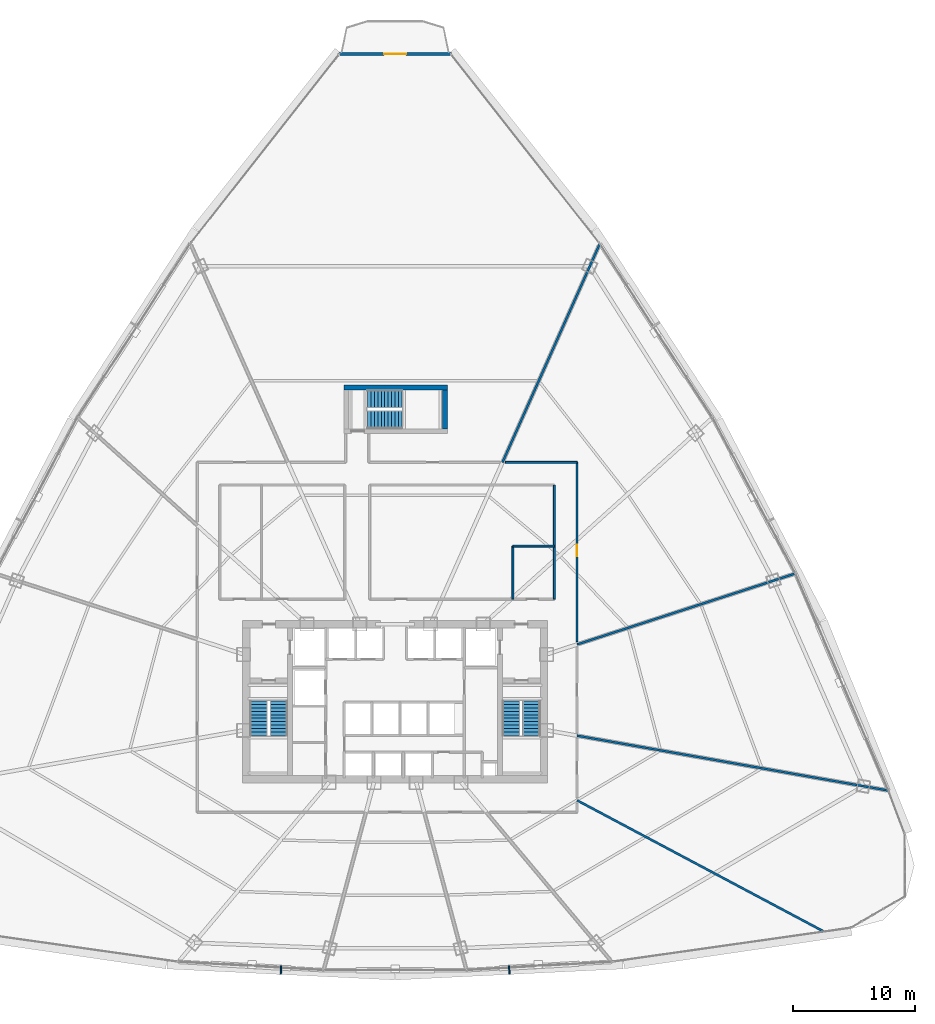
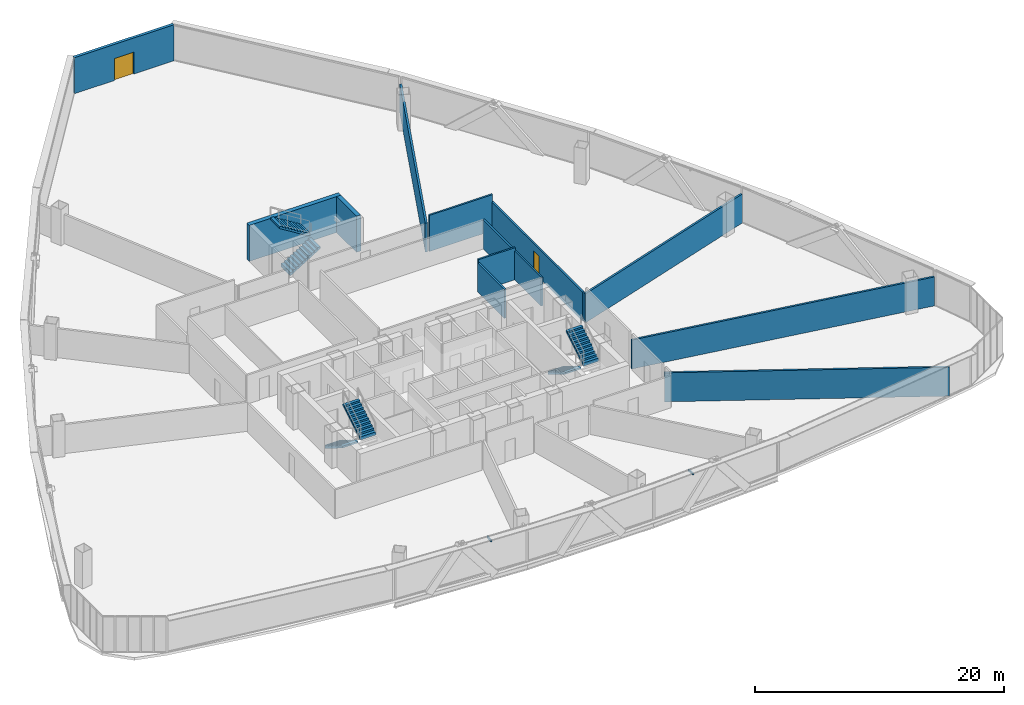
# One storey, part 34 of 39: 12 walls, 6 stair flights, 2 discrete accessories, 2 doors, 2 openings, 3 elements without a shape of their own.
"""IFC4 building model written with IfcOpenShell, lengths in metres."""

import ifcopenshell
import ifcopenshell.guid

model = None  # the IFC model being written
_history = None  # IfcOwnerHistory: only IFC2X3 demands one
_inside = {}  # id of a spatial element -> (the spatial element, [elements in it])
_under = {}  # id of a project, library or spatial element -> (it, [spatial elements below it])
_declared = {}  # id of a project -> (the project, [libraries it declares])
_typed = {}  # id of a type object -> (the type object, [elements of that type])
_made_of = {}  # id of a material, layer set ... -> (it, [elements and type objects made of it])


def new_model(schema):
    """Start an empty IFC model of exactly this schema.

    Asked for "IFC4X3", IfcOpenShell would pick the latest addendum, in which some entities
    have other attributes; the version numbers below select the first issue.
    IFC2X3 requires an IfcOwnerHistory on every rooted entity: one is made here for all.
    """
    global model, _history
    if schema == "IFC4X3":
        model = ifcopenshell.file(schema_version=(4, 3, 0, 0))
    else:
        model = ifcopenshell.file(schema=schema)
    _inside.clear()
    _under.clear()
    _declared.clear()
    _typed.clear()
    _made_of.clear()
    _history = None
    if model.schema == "IFC2X3":
        org = make("IfcOrganization", Name="unknown")
        user = make(
            "IfcPersonAndOrganization",
            ThePerson=make("IfcPerson", FamilyName="unknown"),
            TheOrganization=org,
        )
        app = make(
            "IfcApplication",
            ApplicationDeveloper=org,
            Version="unknown",
            ApplicationFullName="unknown",
            ApplicationIdentifier="unknown",
        )
        _history = make(
            "IfcOwnerHistory",
            OwningUser=user,
            OwningApplication=app,
            ChangeAction="ADDED",
            CreationDate=0,
        )
    return model


def make(cls, **values):
    """One entity of the class cls with the attributes given. An attribute that is None is left unset."""
    return model.create_entity(
        cls, **{name: value for name, value in values.items() if value is not None}
    )


def rooted(cls, **values):
    """An entity with a GlobalId (a new one), such as an element, a storey or a relation."""
    return make(cls, GlobalId=ifcopenshell.guid.new(), OwnerHistory=_history, **values)


def si_unit(unit_type, name, prefix=None):
    """IfcSIUnit, for example si_unit("LENGTHUNIT", "METRE", prefix="MILLI")."""
    return make("IfcSIUnit", UnitType=unit_type, Prefix=prefix, Name=name)


def assignment(units):
    """IfcUnitAssignment: the units of a project."""
    return None if units is None else make("IfcUnitAssignment", Units=units)


def point(xyz):
    """IfcCartesianPoint."""
    return None if xyz is None else make("IfcCartesianPoint", Coordinates=xyz)


def direction(xyz):
    """IfcDirection."""
    return None if xyz is None else make("IfcDirection", DirectionRatios=xyz)


def frame(location, z_axis=None, x_axis=None):
    """IfcAxis2Placement3D, a coordinate frame: its origin and axes. An axis left out is left unset."""
    return make(
        "IfcAxis2Placement3D",
        Location=point(location),
        Axis=direction(z_axis),
        RefDirection=direction(x_axis),
    )


def frame_2d(location, x_axis=None):
    """IfcAxis2Placement2D, a coordinate frame in the plane: its origin and x axis."""
    return make(
        "IfcAxis2Placement2D", Location=point(location), RefDirection=direction(x_axis)
    )


def origin():
    """The frame at (0, 0, 0) with its axes left unset."""
    return frame((0.0, 0.0, 0.0))


def origin_with_axes():
    """The frame at (0, 0, 0) with the z axis (0, 0, 1) and the x axis (1, 0, 0) written out."""
    return frame((0.0, 0.0, 0.0), z_axis=(0.0, 0.0, 1.0), x_axis=(1.0, 0.0, 0.0))


def origin_2d():
    """The frame at (0, 0) in the plane with its x axis left unset."""
    return frame_2d((0.0, 0.0))


def place(relative_to, where):
    """IfcLocalPlacement: puts the frame where relative to a parent placement (None: the world)."""
    return make(
        "IfcLocalPlacement", PlacementRelTo=relative_to, RelativePlacement=where
    )


def context(
    kind, dimensions, precision=None, world=None, true_north=None, identifier=None
):
    """IfcGeometricRepresentationContext, for example the 3D "Model" context."""
    return make(
        "IfcGeometricRepresentationContext",
        ContextIdentifier=identifier,
        ContextType=kind,
        CoordinateSpaceDimension=dimensions,
        Precision=precision,
        WorldCoordinateSystem=world,
        TrueNorth=true_north,
    )


def subcontext(parent, identifier, kind, view, scale=None):
    """IfcGeometricRepresentationSubContext, for example "Body" below "Model"."""
    return make(
        "IfcGeometricRepresentationSubContext",
        ContextIdentifier=identifier,
        ContextType=kind,
        ParentContext=parent,
        TargetScale=scale,
        TargetView=view,
    )


def project(units=None, contexts=None):
    """IfcProject with its units and contexts."""
    return rooted(
        "IfcProject",
        Name="project",
        RepresentationContexts=contexts,
        UnitsInContext=assignment(units),
    )


def spatial(cls, under=None, at=None, **own):
    """A site, building, storey or space (cls), placed at a placement, below another one or the project."""
    s = rooted(cls, ObjectPlacement=at, **own)
    if under is not None:
        _under.setdefault(under.id(), (under, []))[1].append(s)
    return s


def polyline(points):
    """IfcPolyline through the points."""
    return make("IfcPolyline", Points=[point(p) for p in points])


def profile(cls, at=None, kind="AREA", **sizes):
    """A parametric profile (cls). Its sizes go by their IFC names, for example OverallWidth=200.0."""
    return make(cls, ProfileType=kind, Position=at, **sizes)


def rectangle(**sizes):
    """IfcRectangleProfileDef."""
    return profile("IfcRectangleProfileDef", **sizes)


def outline(outer, holes=None, kind="AREA"):
    """IfcArbitraryClosedProfileDef: a profile drawn as a closed curve; with holes, ...WithVoids."""
    if holes is None:
        return make("IfcArbitraryClosedProfileDef", ProfileType=kind, OuterCurve=outer)
    return make(
        "IfcArbitraryProfileDefWithVoids",
        ProfileType=kind,
        OuterCurve=outer,
        InnerCurves=holes,
    )


def extrude(swept, where, along, depth):
    """IfcExtrudedAreaSolid: the profile swept, set in the frame where, extruded along a direction by depth."""
    return make(
        "IfcExtrudedAreaSolid",
        SweptArea=swept,
        Position=where,
        ExtrudedDirection=direction(along),
        Depth=depth,
    )


def shape(context_of_items, identifier, shape_type, items):
    """IfcShapeRepresentation: the items that make up one representation, for example the "Body"."""
    return make(
        "IfcShapeRepresentation",
        ContextOfItems=context_of_items,
        RepresentationIdentifier=identifier,
        RepresentationType=shape_type,
        Items=items,
    )


def source(mapping_origin, context_of_items, identifier, shape_type, items):
    """IfcRepresentationMap: a shape defined once, which mapped items show again and again."""
    return make(
        "IfcRepresentationMap",
        MappingOrigin=mapping_origin,
        MappedRepresentation=shape(context_of_items, identifier, shape_type, items),
    )


def transform(
    local_origin,
    x_axis=None,
    y_axis=None,
    z_axis=None,
    scale=None,
    scale2=None,
    scale3=None,
    uniform=True,
):
    """IfcCartesianTransformationOperator3D, or its non-uniform kind. x_axis, y_axis, z_axis: its Axis1, 2, 3."""
    if uniform:
        return make(
            "IfcCartesianTransformationOperator3D",
            Axis1=direction(x_axis),
            Axis2=direction(y_axis),
            LocalOrigin=point(local_origin),
            Scale=scale,
            Axis3=direction(z_axis),
        )
    return make(
        "IfcCartesianTransformationOperator3DnonUniform",
        Axis1=direction(x_axis),
        Axis2=direction(y_axis),
        LocalOrigin=point(local_origin),
        Scale=scale,
        Axis3=direction(z_axis),
        Scale2=scale2,
        Scale3=scale3,
    )


def mapped(mapping_source, mapping_target):
    """IfcMappedItem: shows the shape of a source again, moved by a transform."""
    return make(
        "IfcMappedItem", MappingSource=mapping_source, MappingTarget=mapping_target
    )


def material(Name=None, Category=None):
    """IfcMaterial."""
    return make("IfcMaterial", Name=Name, Category=Category)


def layer(
    of_material, thickness, ventilated=None, Name=None, Category=None, Priority=None
):
    """IfcMaterialLayer: one layer of a wall or slab, of a material (None: an air gap)."""
    return make(
        "IfcMaterialLayer",
        Material=of_material,
        LayerThickness=thickness,
        IsVentilated=ventilated,
        Name=Name,
        Category=Category,
        Priority=Priority,
    )


def layer_set(layers, Name=None):
    """IfcMaterialLayerSet."""
    return make("IfcMaterialLayerSet", MaterialLayers=layers, LayerSetName=Name)


def made_of(thing, what):
    """Note that an element or type object is made of a material, layer set ...; save() writes the relation."""
    if what is not None:
        _made_of.setdefault(what.id(), (what, []))[1].append(thing)
    return thing


def type_object(cls, material=None, **own):
    """A type object (cls), such as IfcWallType, which elements share."""
    return made_of(rooted(cls, **own), material)


def element(
    cls,
    number,
    at=None,
    inside=None,
    cuts=None,
    type_object=None,
    material=None,
    context=None,
    identifier="Body",
    shape_type=None,
    held_by="IfcProductDefinitionShape",
    body=None,
    shapes=None,
    **own,
):
    """One element of the class cls, such as IfcWall. Its Tag is "e" and its number.

    at: its placement. inside: the storey or other place that contains it. cuts: it is an
    opening in that element (IfcRelVoidsElement). A single representation is given by context,
    identifier, shape_type and body (its items); several are given by shapes. held_by: the class
    of the entity that holds the representations. save() writes the other relations.
    """
    e = rooted(cls, Tag="e%d" % number, ObjectPlacement=at, **own)
    if body is not None:
        shapes = [shape(context, identifier, shape_type, body)]
    if shapes is not None:
        e.Representation = make(held_by, Representations=shapes)
    if inside is not None:
        _inside.setdefault(inside.id(), (inside, []))[1].append(e)
    if cuts is not None:
        rooted(
            "IfcRelVoidsElement", RelatingBuildingElement=cuts, RelatedOpeningElement=e
        )
    if type_object is not None:
        _typed.setdefault(type_object.id(), (type_object, []))[1].append(e)
    return made_of(e, material)


def fill(opening, filler):
    """IfcRelFillsElement: the door or window that sits in an opening."""
    return rooted(
        "IfcRelFillsElement",
        RelatingOpeningElement=opening,
        RelatedBuildingElement=filler,
    )


def aggregate(whole, parts):
    """IfcRelAggregates: a whole, such as a stair, and the parts it consists of."""
    return rooted("IfcRelAggregates", RelatingObject=whole, RelatedObjects=parts)


def save(model, path):
    """Write the relations noted so far, then the file.

    IfcRelAggregates (storeys below a building ...), IfcRelContainedInSpatialStructure (elements
    in a storey), IfcRelDefinesByType, IfcRelAssociatesMaterial and IfcRelDeclares: one each for
    every whole, place, type object, material and project.
    """
    for whole, parts in _under.values():
        aggregate(whole, parts)
    for where, things in _inside.values():
        rooted(
            "IfcRelContainedInSpatialStructure",
            RelatedElements=things,
            RelatingStructure=where,
        )
    for kind, things in _typed.values():
        rooted("IfcRelDefinesByType", RelatedObjects=things, RelatingType=kind)
    for what, things in _made_of.values():
        rooted("IfcRelAssociatesMaterial", RelatedObjects=things, RelatingMaterial=what)
    for by, libraries in _declared.values():
        rooted("IfcRelDeclares", RelatingContext=by, RelatedDefinitions=libraries)
    model.write(path)


model = new_model("IFC4")

# Units and contexts
model_context = context("Model", 3, precision=1e-05, world=origin(), true_north=direction((0.0, 1.0)))
body_context = subcontext(model_context, "Body", "Model", "MODEL_VIEW")
ifc_project = project(units=[si_unit("LENGTHUNIT", "METRE"), si_unit("AREAUNIT", "SQUARE_METRE"), si_unit("VOLUMEUNIT", "CUBIC_METRE"), si_unit("PLANEANGLEUNIT", "RADIAN"), si_unit("MASSUNIT", "GRAM", prefix="KILO"), si_unit("THERMODYNAMICTEMPERATUREUNIT", "KELVIN"), si_unit("POWERUNIT", "WATT")], contexts=[model_context])

# Site, building, storey
site_placement = place(None, origin())
site = spatial("IfcSite", under=ifc_project, at=site_placement, CompositionType="ELEMENT")
building_placement = place(site_placement, origin())
building = spatial("IfcBuilding", under=site, at=building_placement, Name="Yunzhuo Pagoda Commons", CompositionType="ELEMENT")
storey_placement = place(building_placement, frame((0.0, 0.0, 100.179931640625)))
storey = spatial("IfcBuildingStorey", under=building, at=storey_placement, Name="L25", CompositionType="ELEMENT", Elevation=100.179931640625)

# Wall, opening, door
ifc_material_1 = material(Name="Precast concrete C40", Category="concrete")
ifc_layer_1 = layer(ifc_material_1, 0.260009765625)
ifc_layer_set_1 = layer_set([ifc_layer_1], Name="Precast concrete C40")
wall_type_1 = type_object("IfcWallType", Name="W-BAL1 Corner Balcony Threshold Wall 260", PredefinedType="STANDARD", material=ifc_layer_set_1)
wall_1_placement = place(storey_placement, frame((52.6123046875, 86.90478515625, 0.0), z_axis=(0.0, 0.0, 1.0), x_axis=(-1.0, 0.0, 0.0)))
wall_1 = element("IfcWall", 1, at=wall_1_placement, inside=storey, type_object=wall_type_1, Name="L25 corner balcony wall V3", PredefinedType="STANDARD", context=body_context, shape_type="SweptSolid", body=[
    extrude(rectangle(XDim=9.224609375, YDim=0.260009765625, at=frame_2d((4.6123046875, 0.0))), origin(), (0.0, 0.0, 1.0), 3.5400390625),
])
opening_1_placement = place(wall_1_placement, frame((3.71240234375, 0.0, 0.0)))
opening_1 = element("IfcOpeningElement", 2, at=opening_1_placement, cuts=wall_1, Name="Opening D-BAL1", PredefinedType="OPENING", context=body_context, shape_type="SweptSolid", body=[
    extrude(rectangle(XDim=1.800048828125, YDim=2.14990234375, at=frame_2d((0.89990234375, 1.074951171875))), frame((0.0, 0.14013671875, 0.0), z_axis=(0.0, -1.0, 0.0), x_axis=(1.0, 0.0, 0.0)), (0.0, 0.0, 1.0), 0.280029296875),
])
ifc_material_2 = material(Name="Anodized aluminium frame and tempered glazed leaf", Category="aluminium")
door_type_1 = type_object("IfcDoorType", Name="D-BAL1 Corner Balcony Sliding Glazed Door 1800x2150", OperationType="DOUBLE_DOOR_SLIDING", PredefinedType="DOOR", material=ifc_material_2)
shared_shape_1 = source(origin(), body_context, "Body", "SweptSolid", [
    extrude(rectangle(XDim=1.800048828125, YDim=2.14990234375, at=frame_2d((0.89990234375, 1.074951171875))), frame((0.0, 0.02490234375, 0.0), z_axis=(0.0, -1.0, 0.0), x_axis=(1.0, 0.0, 0.0)), (0.0, 0.0, 1.0), 0.050048828125),
])
door_1_placement = place(opening_1_placement, origin_with_axes())
door_1 = element("IfcDoor", 3, at=door_1_placement, inside=storey, type_object=door_type_1, Name="L25 corner balcony sliding door V3", OperationType="DOUBLE_DOOR_SLIDING", OverallHeight=2.14990234375, OverallWidth=1.800048828125, PredefinedType="DOOR", context=body_context, shape_type="MappedRepresentation", body=[
    mapped(shared_shape_1, transform((0.0, 0.0, 0.0), scale=1.0)),
])
fill(opening_1, door_1)

# Walls
ifc_material_3 = material(Name="Gypsum plasterboard on acoustic stud")
ifc_layer_2 = layer(ifc_material_3, 0.159912109375)
ifc_layer_set_2 = layer_set([ifc_layer_2], Name="Gypsum plasterboard on acoustic stud")
wall_type_2 = type_object("IfcWallType", Name="W-COR1 Tower Rated Corridor Wall 160", PredefinedType="PARTITIONING", material=ifc_layer_set_2)
wall_2_placement = place(storey_placement, frame((61.050048828125, 42.25, 0.0), z_axis=(0.0, 0.0, 1.0), x_axis=(0.0, 1.0, 0.0)))
element("IfcWall", 4, at=wall_2_placement, inside=storey, type_object=wall_type_2, Name="L25 interior wall IW-L25-ISLEE", PredefinedType="PARTITIONING", context=body_context, shape_type="SweptSolid", body=[
    extrude(rectangle(XDim=9.35009765625, YDim=0.159912109375, at=frame_2d((4.675048828125, 0.0))), origin(), (0.0, 0.0, 1.0), 2.840087890625),
])
wall_3_placement = place(storey_placement, frame((57.64990234375, 42.25, 0.0), z_axis=(0.0, 0.0, 1.0), x_axis=(0.0, 1.0, 0.0)))
element("IfcWall", 5, at=wall_3_placement, inside=storey, type_object=wall_type_2, Name="L25 interior wall IW-L25-ISL2W", PredefinedType="PARTITIONING", context=body_context, shape_type="SweptSolid", body=[
    extrude(rectangle(XDim=4.35009765625, YDim=0.159912109375, at=frame_2d((2.175048828125, 0.0))), origin(), (0.0, 0.0, 1.0), 2.840087890625),
])
wall_4_placement = place(storey_placement, frame((57.64990234375, 46.60009765625, 0.0), z_axis=(0.0, 0.0, 1.0), x_axis=(1.0, 0.0, 0.0)))
element("IfcWall", 6, at=wall_4_placement, inside=storey, type_object=wall_type_2, Name="L25 interior wall IW-L25-ISL2N", PredefinedType="PARTITIONING", context=body_context, shape_type="SweptSolid", body=[
    extrude(rectangle(XDim=3.400146484375, YDim=0.159912109375, at=frame_2d((1.7001953125, 0.0))), origin(), (0.0, 0.0, 1.0), 3.14013671875),
])
wall_5_placement = place(storey_placement, frame((57.0341796875, 53.449951171875, 0.0), z_axis=(0.0, 0.0, 1.0), x_axis=(1.0, 0.0, 0.0)))
element("IfcWall", 7, at=wall_5_placement, inside=storey, type_object=wall_type_2, Name="L25 interior wall IW-L25-CWL09", PredefinedType="PARTITIONING", context=body_context, shape_type="SweptSolid", body=[
    extrude(rectangle(XDim=5.86572265625, YDim=0.159912109375, at=frame_2d((2.932861328125, 0.0))), origin(), (0.0, 0.0, 1.0), 3.5400390625),
])

# Wall, opening, door
wall_6_placement = place(storey_placement, frame((62.89990234375, 53.449951171875, 0.0), z_axis=(0.0, 0.0, 1.0), x_axis=(0.0, -1.0, 0.0)))
wall_6 = element("IfcWall", 8, at=wall_6_placement, inside=storey, type_object=wall_type_2, Name="L25 interior wall IW-L25-CWL10", PredefinedType="PARTITIONING", context=body_context, shape_type="SweptSolid", body=[
    extrude(rectangle(XDim=14.67724609375, YDim=0.159912109375, at=frame_2d((7.338623046875, 0.0))), origin(), (0.0, 0.0, 1.0), 2.840087890625),
])
opening_2_placement = place(wall_6_placement, frame((6.74951171875, 0.0, 0.0)))
opening_2 = element("IfcOpeningElement", 9, at=opening_2_placement, cuts=wall_6, Name="Opening D-06", PredefinedType="OPENING", context=body_context, shape_type="SweptSolid", body=[
    extrude(rectangle(XDim=0.949951171875, YDim=2.10009765625, at=frame_2d((0.47509765625, 1.050048828125))), frame((0.0, 0.08984375, 0.0), z_axis=(0.0, -1.0, 0.0), x_axis=(1.0, 0.0, 0.0)), (0.0, 0.0, 1.0), 0.179931640625),
])
ifc_material_4 = material(Name="Galvanized fire-resisting metal leaf")
door_type_2 = type_object("IfcDoorType", Name="D-06 Co-Living Suite Entrance Fire Door 950x2100", OperationType="NOTDEFINED", PredefinedType="DOOR", material=ifc_material_4)
shared_shape_2 = source(origin(), body_context, "Body", "SweptSolid", [
    extrude(rectangle(XDim=0.949951171875, YDim=2.10009765625, at=frame_2d((0.47509765625, 1.050048828125))), frame((0.0, 0.02490234375, 0.0), z_axis=(0.0, -1.0, 0.0), x_axis=(1.0, 0.0, 0.0)), (0.0, 0.0, 1.0), 0.050048828125),
])
door_2_placement = place(opening_2_placement, origin_with_axes())
door_2 = element("IfcDoor", 10, at=door_2_placement, inside=storey, type_object=door_type_2, Name="L25 Shared Resident Kitchen and Pantry door", OperationType="SINGLE_SWING_LEFT", OverallHeight=2.10009765625, OverallWidth=0.949951171875, PredefinedType="DOOR", context=body_context, shape_type="MappedRepresentation", body=[
    mapped(shared_shape_2, transform((0.0, 0.0, 0.0), scale=1.0)),
])
fill(opening_2, door_2)

# Walls
ifc_layer_3 = layer(ifc_material_3, 0.179931640625)
ifc_layer_set_3 = layer_set([ifc_layer_3], Name="Gypsum plasterboard on acoustic stud")
wall_type_3 = type_object("IfcWallType", Name="W-PRT2 Acoustic Unit Demising Wall 180", PredefinedType="PARTITIONING", material=ifc_layer_set_3)
wall_7_placement = place(storey_placement, frame((62.89990234375, 38.541259765625, 0.0), z_axis=(0.0, 0.0, 1.0), x_axis=(0.951056186137, 0.309018010496, 0.0)))
element("IfcWall", 11, at=wall_7_placement, inside=storey, type_object=wall_type_3, Name="L25 interior wall IW-L25-RAD01", PredefinedType="PARTITIONING", context=body_context, shape_type="SweptSolid", body=[
    extrude(rectangle(XDim=18.8173828125, YDim=0.179931640625, at=frame_2d((9.40869140625, 0.0))), origin(), (0.0, 0.0, 1.0), 2.840087890625),
])
wall_8_placement = place(storey_placement, frame((56.793212890625, 53.449951171875, 0.0), z_axis=(0.0, 0.0, 1.0), x_axis=(0.406741294252, 0.913543386791, 0.0)))
element("IfcWall", 12, at=wall_8_placement, inside=storey, type_object=wall_type_3, Name="L25 interior wall IW-L25-RAD02", PredefinedType="PARTITIONING", context=body_context, shape_type="SweptSolid", body=[
    extrude(rectangle(XDim=19.612060546875, YDim=0.179931640625, at=frame_2d((9.80615234375, 0.0))), origin(), (0.0, 0.0, 1.0), 2.840087890625),
])
wall_9_placement = place(storey_placement, frame((62.89990234375, 25.777587890625, 0.0), z_axis=(0.0, 0.0, 1.0), x_axis=(0.882949939944, -0.469467148533, 0.0)))
element("IfcWall", 13, at=wall_9_placement, inside=storey, type_object=wall_type_3, Name="L25 interior wall IW-L25-RAD09", PredefinedType="PARTITIONING", context=body_context, shape_type="SweptSolid", body=[
    extrude(rectangle(XDim=22.90771484375, YDim=0.179931640625, at=frame_2d((11.453857421875, 0.0))), origin(), (0.0, 0.0, 1.0), 2.840087890625),
])
wall_10_placement = place(storey_placement, frame((62.89990234375, 31.07275390625, 0.0), z_axis=(0.0, 0.0, 1.0), x_axis=(0.984807465584, -0.173649807743, 0.0)))
element("IfcWall", 14, at=wall_10_placement, inside=storey, type_object=wall_type_3, Name="L25 interior wall IW-L25-RAD10", PredefinedType="PARTITIONING", context=body_context, shape_type="SweptSolid", body=[
    extrude(rectangle(XDim=25.8974609375, YDim=0.179931640625, at=frame_2d((12.94873046875, 0.0))), origin(), (0.0, 0.0, 1.0), 2.840087890625),
])
ifc_material_5 = material(Name="Concrete C60", Category="concrete")
ifc_layer_4 = layer(ifc_material_5, 0.39990234375)
ifc_layer_set_4 = layer_set([ifc_layer_4], Name="Concrete C60")
wall_type_4 = type_object("IfcWallType", Name="W-S01 Internal Core Shear Web 400", PredefinedType="SHEAR", material=ifc_layer_set_4)
wall_11_placement = place(storey_placement, frame((43.800048828125, 59.60009765625, 0.0), z_axis=(0.0, 0.0, 1.0), x_axis=(1.0, 0.0, 0.0)))
element("IfcWall", 15, at=wall_11_placement, inside=storey, type_object=wall_type_4, Name="L25 ST3 structural stair wall N", PredefinedType="SHEAR", context=body_context, shape_type="SweptSolid", body=[
    extrude(rectangle(XDim=8.5, YDim=0.39990234375, at=frame_2d((4.25, 0.0))), origin(), (0.0, 0.0, 1.0), 3.5400390625),
])
wall_12_placement = place(storey_placement, frame((52.10009765625, 56.199951171875, 0.0), z_axis=(0.0, 0.0, 1.0), x_axis=(0.0, 1.0, 0.0)))
element("IfcWall", 16, at=wall_12_placement, inside=storey, type_object=wall_type_4, Name="L25 ST3 structural stair wall E", PredefinedType="SHEAR", context=body_context, shape_type="SweptSolid", body=[
    extrude(rectangle(XDim=3.199951171875, YDim=0.39990234375, at=frame_2d((1.60009765625, 0.0))), origin(), (0.0, 0.0, 1.0), 3.5400390625),
])

# Stair, stair flights
ifc_material_6 = material(Name="Concrete C40", Category="concrete")
stair_type_1 = type_object("IfcStairType", Name="ST-C1 Core Smokeproof Stair ST1", PredefinedType="HALF_TURN_STAIR", material=ifc_material_6)
stair_1_placement = place(storey_placement, origin())
stair_1 = element("IfcStair", 17, at=stair_1_placement, inside=storey, type_object=stair_type_1, Name="L25 Core smokeproof stair ST1", PredefinedType="HALF_TURN_STAIR")
stair_flight_type_1 = type_object("IfcStairFlightType", Name="STF-C1 Core Stair Flight 1450", PredefinedType="STRAIGHT", material=ifc_material_6)
shared_shape_3 = source(origin(), body_context, "Body", "SweptSolid", [
    extrude(outline(polyline([(0.0, -0.14990234375), (0.0, 0.0), (0.0, 0.172607421875), (0.280029296875, 0.172607421875), (0.280029296875, 0.345458984375), (0.56005859375, 0.345458984375), (0.56005859375, 0.51806640625), (0.840087890625, 0.51806640625), (0.840087890625, 0.69091796875), (1.1201171875, 0.69091796875), (1.1201171875, 0.863525390625), (1.39990234375, 0.863525390625), (1.39990234375, 1.036376953125), (1.679931640625, 1.036376953125), (1.679931640625, 1.208984375), (1.9599609375, 1.208984375), (1.9599609375, 1.3818359375), (2.239990234375, 1.3818359375), (2.239990234375, 1.554443359375), (2.52001953125, 1.554443359375), (2.52001953125, 1.727294921875), (2.800048828125, 1.727294921875), (2.800048828125, 1.89990234375), (2.800048828125, 1.551025390625), (0.285400390625, 0.0), (0.050048828125, -0.14990234375), (0.0, -0.14990234375)])), frame((0.0, 0.72509765625, 0.0), z_axis=(0.0, -1.0, 0.0), x_axis=(1.0, 0.0, 0.0)), (0.0, 0.0, 1.0), 1.449951171875),
])
stair_flight_1_placement = place(storey_placement, frame((36.824951171875, 33.89990234375, 0.0), z_axis=(0.0, 0.0, 1.0), x_axis=(0.0, -1.0, 0.0)))
stair_flight_1 = element("IfcStairFlight", 18, at=stair_flight_1_placement, type_object=stair_flight_type_1, Name="ST1 flight 1", NumberOfRisers=11, NumberOfTreads=10, PredefinedType="STRAIGHT", RiserHeight=0.172727273, TreadLength=0.28, context=body_context, shape_type="MappedRepresentation", body=[
    mapped(shared_shape_3, transform((0.0, 0.0, 0.0), scale=1.0)),
])
stair_flight_2_placement = place(storey_placement, frame((38.47509765625, 31.10009765625, 1.900146484375), z_axis=(0.0, 0.0, 1.0), x_axis=(0.0, 1.0, 0.0)))
stair_flight_2 = element("IfcStairFlight", 19, at=stair_flight_2_placement, type_object=stair_flight_type_1, Name="ST1 flight 2", NumberOfRisers=11, NumberOfTreads=10, PredefinedType="STRAIGHT", RiserHeight=0.172727273, TreadLength=0.28, context=body_context, shape_type="MappedRepresentation", body=[
    mapped(shared_shape_3, transform((0.0, 0.0, 0.0), scale=1.0)),
])
aggregate(stair_1, [stair_flight_1, stair_flight_2])

stair_type_2 = type_object("IfcStairType", Name="ST-C2 Core Smokeproof Stair ST2", PredefinedType="HALF_TURN_STAIR", material=ifc_material_6)
stair_2_placement = place(storey_placement, origin())
stair_2 = element("IfcStair", 20, at=stair_2_placement, inside=storey, type_object=stair_type_2, Name="L25 Core smokeproof stair ST2", PredefinedType="HALF_TURN_STAIR")
stair_flight_type_2 = type_object("IfcStairFlightType", Name="STF-C2 Core Stair Flight 1460", PredefinedType="STRAIGHT", material=ifc_material_6)
stair_flight_3_placement = place(storey_placement, frame((57.52490234375, 33.89990234375, 0.0), z_axis=(0.0, 0.0, 1.0), x_axis=(0.0, -1.0, 0.0)))
stair_flight_3 = element("IfcStairFlight", 21, at=stair_flight_3_placement, type_object=stair_flight_type_2, Name="ST2 flight 1", NumberOfRisers=11, NumberOfTreads=10, PredefinedType="STRAIGHT", RiserHeight=0.172727273, TreadLength=0.28, context=body_context, shape_type="MappedRepresentation", body=[
    mapped(shared_shape_3, transform((0.0, 0.0, 0.0), scale=1.0)),
])
stair_flight_4_placement = place(storey_placement, frame((59.175048828125, 31.10009765625, 1.900146484375), z_axis=(0.0, 0.0, 1.0), x_axis=(0.0, 1.0, 0.0)))
stair_flight_4 = element("IfcStairFlight", 22, at=stair_flight_4_placement, type_object=stair_flight_type_2, Name="ST2 flight 2", NumberOfRisers=11, NumberOfTreads=10, PredefinedType="STRAIGHT", RiserHeight=0.172727273, TreadLength=0.28, context=body_context, shape_type="MappedRepresentation", body=[
    mapped(shared_shape_3, transform((0.0, 0.0, 0.0), scale=1.0)),
])
aggregate(stair_2, [stair_flight_3, stair_flight_4])

stair_type_3 = type_object("IfcStairType", Name="ST-C3 North Tower Smokeproof Stair ST3", PredefinedType="HALF_TURN_STAIR", material=ifc_material_6)
stair_3_placement = place(storey_placement, origin())
stair_3 = element("IfcStair", 23, at=stair_3_placement, inside=storey, type_object=stair_type_3, Name="L25 North tower smokeproof stair ST3", PredefinedType="HALF_TURN_STAIR")
stair_flight_type_3 = type_object("IfcStairFlightType", Name="STF-C3 North Stair Flight 1500", PredefinedType="STRAIGHT", material=ifc_material_6)
shared_shape_4 = source(origin(), body_context, "Body", "SweptSolid", [
    extrude(outline(polyline([(0.0, -0.14990234375), (0.0, 0.0), (0.0, 0.172607421875), (0.280029296875, 0.172607421875), (0.280029296875, 0.345458984375), (0.56005859375, 0.345458984375), (0.56005859375, 0.51806640625), (0.840087890625, 0.51806640625), (0.840087890625, 0.69091796875), (1.1201171875, 0.69091796875), (1.1201171875, 0.863525390625), (1.39990234375, 0.863525390625), (1.39990234375, 1.036376953125), (1.679931640625, 1.036376953125), (1.679931640625, 1.208984375), (1.9599609375, 1.208984375), (1.9599609375, 1.3818359375), (2.239990234375, 1.3818359375), (2.239990234375, 1.554443359375), (2.52001953125, 1.554443359375), (2.52001953125, 1.727294921875), (2.800048828125, 1.727294921875), (2.800048828125, 1.89990234375), (2.800048828125, 1.551025390625), (0.285400390625, 0.0), (0.050048828125, -0.14990234375), (0.0, -0.14990234375)])), frame((0.0, 0.75, 0.0), z_axis=(0.0, -1.0, 0.0), x_axis=(1.0, 0.0, 0.0)), (0.0, 0.0, 1.0), 1.5),
])
stair_flight_5_placement = place(storey_placement, frame((45.75, 56.949951171875, 0.0), z_axis=(0.0, 0.0, 1.0), x_axis=(1.0, 0.0, 0.0)))
stair_flight_5 = element("IfcStairFlight", 24, at=stair_flight_5_placement, type_object=stair_flight_type_3, Name="ST3 flight 1", NumberOfRisers=11, NumberOfTreads=10, PredefinedType="STRAIGHT", RiserHeight=0.172727273, TreadLength=0.28, context=body_context, shape_type="MappedRepresentation", body=[
    mapped(shared_shape_4, transform((0.0, 0.0, 0.0), scale=1.0)),
])
stair_flight_6_placement = place(storey_placement, frame((48.550048828125, 58.64990234375, 1.900146484375), z_axis=(0.0, 0.0, 1.0), x_axis=(-1.0, 0.0, 0.0)))
stair_flight_6 = element("IfcStairFlight", 25, at=stair_flight_6_placement, type_object=stair_flight_type_3, Name="ST3 flight 2", NumberOfRisers=11, NumberOfTreads=10, PredefinedType="STRAIGHT", RiserHeight=0.172727273, TreadLength=0.28, context=body_context, shape_type="MappedRepresentation", body=[
    mapped(shared_shape_4, transform((0.0, 0.0, 0.0), scale=1.0)),
])
aggregate(stair_3, [stair_flight_5, stair_flight_6])

# Discrete accessories
ifc_material_7 = material(Name="Anodized aluminium 6063-T6", Category="aluminium")
discrete_accessory_type = type_object("IfcDiscreteAccessoryType", Name="BK-SUN1 Sunshade Outrigger Bracket", PredefinedType="BRACKET", material=ifc_material_7)
shared_shape_5 = source(origin(), body_context, "Body", "SweptSolid", [
    extrude(rectangle(XDim=0.1201171875, YDim=0.679931640625, at=origin_2d()), origin(), (0.0, 0.0, 1.0), 0.179931640625),
])
for number, where, z_axis, x_axis, name in (
    (26, (38.650146484375, 11.87939453125, 3.330078125), (0.0, 0.0, 1.0), (0.998818043775, -0.04860571396, 0.0), "L25 sunshade outrigger bracket F1.2"),
    (27, (57.349853515625, 11.87939453125, 3.330078125), (0.0, 0.0, 1.0), (0.998818043775, 0.04860571396, 0.0), "L25 sunshade outrigger bracket F1.3"),
):
    element("IfcDiscreteAccessory", number, at=place(storey_placement, frame(where, z_axis=z_axis, x_axis=x_axis)), inside=storey, type_object=discrete_accessory_type, Name=name, PredefinedType="BRACKET", context=body_context, shape_type="MappedRepresentation", body=[
        mapped(shared_shape_5, transform((0.0, 0.0, 0.0), scale=1.0)),
    ])

save(model, "model.ifc")
